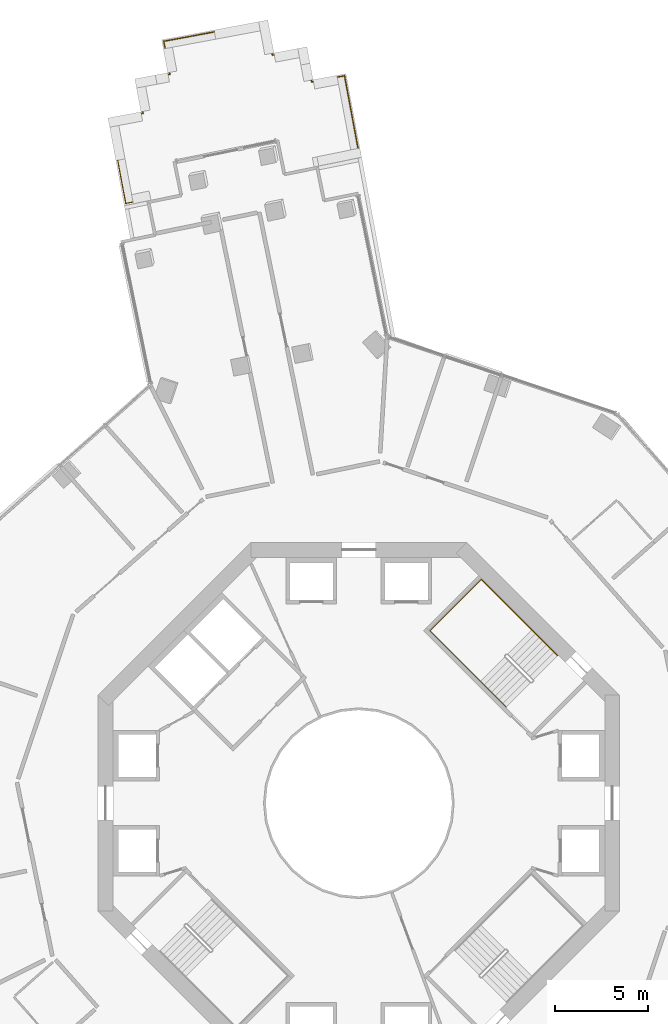
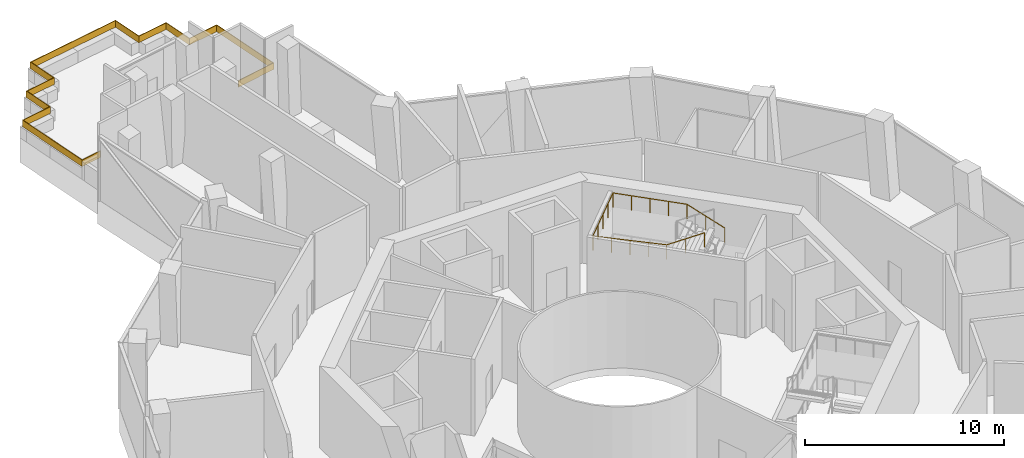
# One storey, part 20 of 20: 2 railings.
"""IFC4 building model written with IfcOpenShell, lengths in metres."""

from ifc_helpers import new_model, si_unit, direction, frame, origin, origin_2d, place, context, subcontext, project, spatial, polyline, circle, outline, extrude, material, layer, layer_set, type_object, element, save


model = new_model("IFC4")

# Units and contexts
model_context = context("Model", 3, precision=1e-05, world=origin(), true_north=direction((0.0, 1.0)))
body_context = subcontext(model_context, "Body", "Model", "MODEL_VIEW")
ifc_project = project(units=[si_unit("LENGTHUNIT", "METRE"), si_unit("AREAUNIT", "SQUARE_METRE"), si_unit("VOLUMEUNIT", "CUBIC_METRE"), si_unit("PLANEANGLEUNIT", "RADIAN"), si_unit("MASSUNIT", "GRAM", prefix="KILO")], contexts=[model_context])

# Site, building, storey
site_placement = place(None, origin())
site = spatial("IfcSite", under=ifc_project, at=site_placement, CompositionType="ELEMENT")
building_placement = place(site_placement, origin())
building = spatial("IfcBuilding", under=site, at=building_placement, Name="Verdalira Terraces Hotel", CompositionType="ELEMENT")
storey_placement = place(building_placement, frame((0.0, 0.0, 81.0)))
storey = spatial("IfcBuildingStorey", under=building, at=storey_placement, Name="L18", CompositionType="ELEMENT", Elevation=81.0)

# Railings
ifc_material_1 = material(Name="Laminated glass", Category="glass")
ifc_layer = layer(ifc_material_1, 0.0400390625)
ifc_layer_set = layer_set([ifc_layer], Name="Balcony glass guard 400")
railing_type_1 = type_object("IfcRailingType", Name="Balcony glass guard 400", PredefinedType="GUARDRAIL", material=ifc_layer_set)
railing_1_placement = place(storey_placement, frame((0.0, 0.0, 0.699951)))
element("IfcRailing", 1, at=railing_1_placement, inside=storey, type_object=railing_type_1, Name="Balcony glass guard", PredefinedType="GUARDRAIL", context=body_context, shape_type="SweptSolid", body=[
    extrude(outline(polyline([(0.007568, 34.771973), (-0.785156, 39.025391), (-2.554688, 38.695312), (-2.741699, 39.698242), (-2.884766, 40.464844), (-4.654297, 40.13501), (-4.984131, 41.904541), (-7.749756, 41.388916), (-10.449951, 40.885498), (-10.120117, 39.116211), (-10.904297, 38.969971), (-11.889404, 38.786133), (-11.55957, 37.016602), (-13.329102, 36.686768), (-12.925049, 34.519287), (-12.49707, 32.223389), (-11.324463, 32.462402), (-11.31665, 32.423096), (-12.529053, 32.176025), (-12.964355, 34.511963), (-13.375732, 36.71875), (-11.606201, 37.048584), (-11.936279, 38.818115), (-10.911621, 39.009277), (-10.166748, 39.148193), (-10.496582, 40.91748), (-7.75708, 41.428223), (-4.952148, 41.951172), (-4.62207, 40.181641), (-2.852783, 40.511475), (-2.702393, 39.705566), (-2.522705, 38.741943), (-0.753174, 39.072021), (0.054199, 34.740723), (-2.275635, 34.265869), (-2.283691, 34.304932), (0.007568, 34.771973)])), origin(), (0.0, 0.0, 1.0), 0.400146),
])
ifc_material_2 = material(Name="Stainless steel", Category="steel")
railing_type_2 = type_object("IfcRailingType", Name="Stair handrail 900", PredefinedType="HANDRAIL", material=ifc_material_2)
railing_2_placement = place(storey_placement, frame((10.677246, 7.919678, 2.65625)))
element("IfcRailing", 2, at=railing_2_placement, inside=storey, type_object=railing_type_2, Name="L18 ST1 stair handrail 2", PredefinedType="HANDRAIL", context=body_context, shape_type="SweptSolid", body=[
    extrude(circle(Radius=0.023926, at=origin_2d()), frame((0.0, 0.0, 0.875977), z_axis=(-0.617451498, 0.617451498, 0.487347201), x_axis=(-0.707106781, -0.707106781, 0.0)), (0.0, 0.0, 1.0), 2.244385),
    extrude(circle(Radius=0.023926, at=origin_2d()), frame((-1.385742, 1.385742, 1.969727), z_axis=(-0.707106781, 0.707106781, 0.0), x_axis=(-0.707106781, -0.707106781, 0.0)), (0.0, 0.0, 1.0), 3.840088),
    extrude(circle(Radius=0.023926, at=origin_2d()), frame((-4.101074, 4.101074, 1.969727), z_axis=(-0.707138081, -0.70707548, 0.0), x_axis=(0.70707548, -0.707138081, 0.0)), (0.0, 0.0, 1.0), 3.899902),
    extrude(circle(Radius=0.023926, at=origin_2d()), frame((-6.858887, 1.343506, 1.969727), z_axis=(0.706522152, -0.706522152, 0.040655833), x_axis=(0.707106781, 0.707106781, 0.0)), (0.0, 0.0, 1.0), 3.843262),
    extrude(circle(Radius=0.023926, at=origin_2d()), frame((-4.143555, -1.371826, 2.125977), z_axis=(0.61747733, -0.61747733, 0.48728174), x_axis=(0.707106781, 0.707106781, 0.0)), (0.0, 0.0, 1.0), 2.244629),
    extrude(circle(Radius=0.020996, at=origin_2d()), origin(), (0.0, 0.0, 1.0), 0.851807),
    extrude(circle(Radius=0.020996, at=origin_2d()), frame((-0.692871, 0.692871, 0.546875)), (0.0, 0.0, 1.0), 0.851807),
    extrude(circle(Radius=0.020996, at=origin_2d()), frame((-1.385742, 1.385742, 1.09375)), (0.0, 0.0, 1.0), 0.851807),
    extrude(circle(Radius=0.020996, at=origin_2d()), frame((-2.064453, 2.064453, 1.09375)), (0.0, 0.0, 1.0), 0.851807),
    extrude(circle(Radius=0.020996, at=origin_2d()), frame((-2.743408, 2.743408, 1.09375)), (0.0, 0.0, 1.0), 0.851807),
    extrude(circle(Radius=0.020996, at=origin_2d()), frame((-3.422363, 3.422363, 1.09375)), (0.0, 0.0, 1.0), 0.851807),
    extrude(circle(Radius=0.020996, at=origin_2d()), frame((-4.101074, 4.101074, 1.09375)), (0.0, 0.0, 1.0), 0.851807),
    extrude(circle(Radius=0.020996, at=origin_2d()), frame((-4.790527, 3.411621, 1.09375)), (0.0, 0.0, 1.0), 0.851807),
    extrude(circle(Radius=0.020996, at=origin_2d()), frame((-5.47998, 2.722168, 1.09375)), (0.0, 0.0, 1.0), 0.851807),
    extrude(circle(Radius=0.020996, at=origin_2d()), frame((-6.169434, 2.032959, 1.09375)), (0.0, 0.0, 1.0), 0.851807),
    extrude(circle(Radius=0.020996, at=origin_2d()), frame((-6.858887, 1.343506, 1.09375)), (0.0, 0.0, 1.0), 0.851807),
    extrude(circle(Radius=0.020996, at=origin_2d()), frame((-6.180176, 0.664551, 1.132812)), (0.0, 0.0, 1.0), 0.851807),
    extrude(circle(Radius=0.020996, at=origin_2d()), frame((-5.501221, -0.01416, 1.171875)), (0.0, 0.0, 1.0), 0.851807),
    extrude(circle(Radius=0.020996, at=origin_2d()), frame((-4.822266, -0.692871, 1.210938)), (0.0, 0.0, 1.0), 0.851807),
    extrude(circle(Radius=0.020996, at=origin_2d()), frame((-4.143555, -1.371826, 1.25)), (0.0, 0.0, 1.0), 0.851807),
    extrude(circle(Radius=0.020996, at=origin_2d()), frame((-3.450684, -2.064941, 1.796875)), (0.0, 0.0, 1.0), 0.851807),
    extrude(circle(Radius=0.020996, at=origin_2d()), frame((-2.757568, -2.757812, 2.34375)), (0.0, 0.0, 1.0), 0.851807),
])

save(model, "model.ifc")
